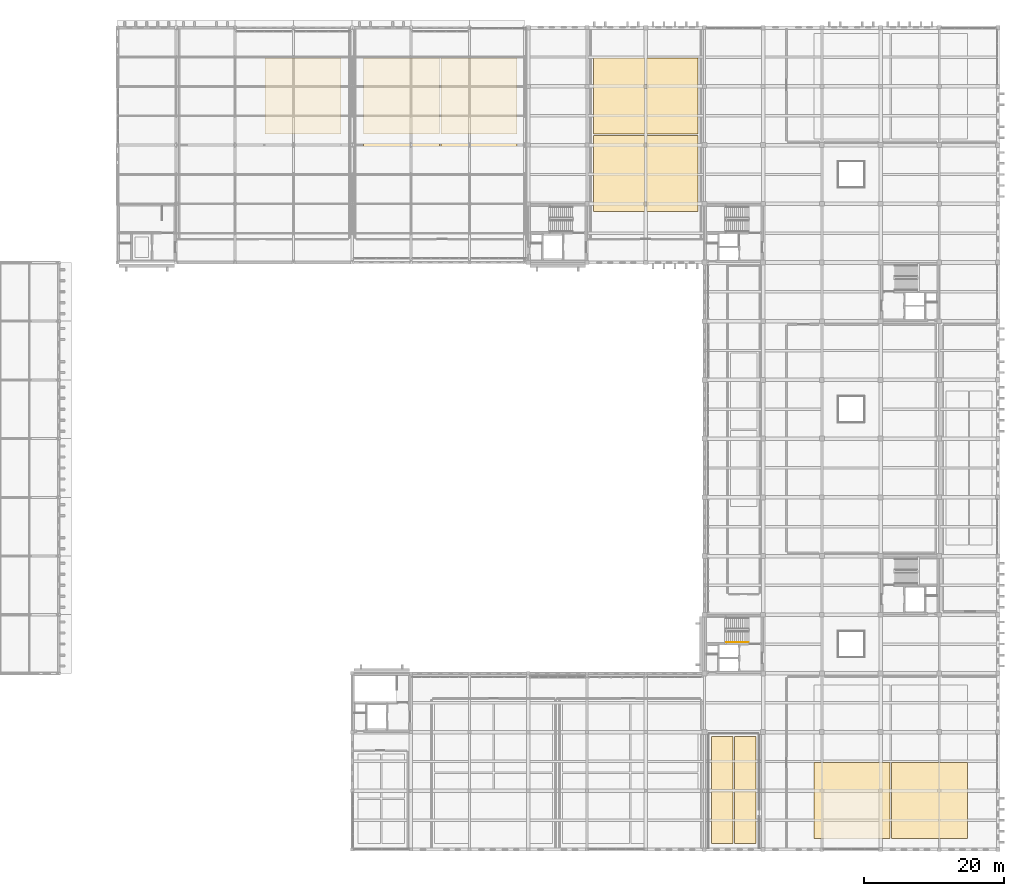
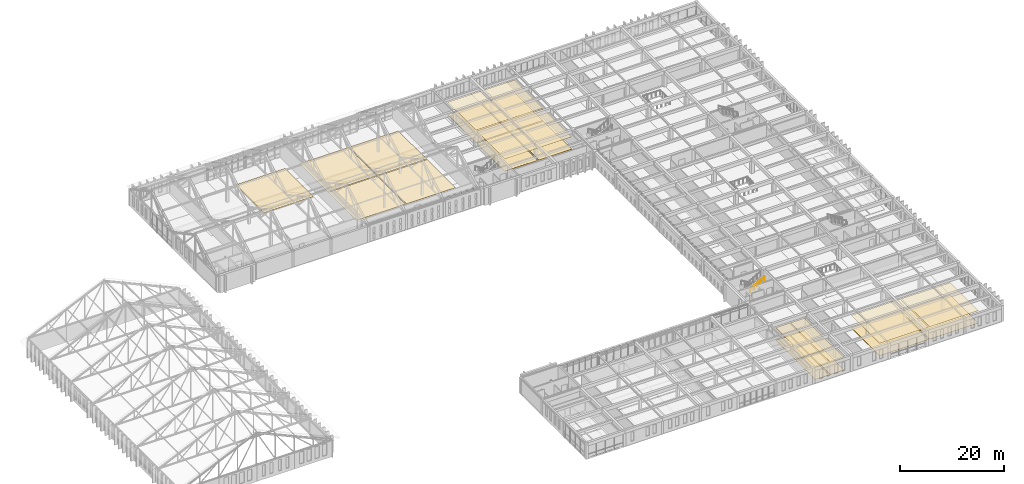
# One storey, part 106 of 110: 25 coverings, 1 railing.
"""IFC4 building model written with IfcOpenShell, lengths in metres."""

from ifc_helpers import new_model, si_unit, direction, frame, origin, origin_2d, place, context, subcontext, project, spatial, rectangle, circle, extrude, material, layer, layer_set, type_object, element, save


model = new_model("IFC4")

# Units and contexts
model_context = context("Model", 3, precision=1e-05, world=origin(), true_north=direction((0.0, 1.0)))
body_context = subcontext(model_context, "Body", "Model", "MODEL_VIEW")
ifc_project = project(units=[si_unit("LENGTHUNIT", "METRE"), si_unit("AREAUNIT", "SQUARE_METRE"), si_unit("VOLUMEUNIT", "CUBIC_METRE"), si_unit("PLANEANGLEUNIT", "RADIAN"), si_unit("MASSUNIT", "GRAM", prefix="KILO")], contexts=[model_context])

# Site, building, storey
site_placement = place(None, origin())
site = spatial("IfcSite", under=ifc_project, at=site_placement, CompositionType="ELEMENT")
building_placement = place(site_placement, origin())
building = spatial("IfcBuilding", under=site, at=building_placement, Name="Kveldsbrygga Polytechnic", CompositionType="ELEMENT")
storey_placement = place(building_placement, frame((0.0, 0.0, 9.860107421875)))
storey = spatial("IfcBuildingStorey", under=building, at=storey_placement, Name="L02", CompositionType="ELEMENT", Elevation=9.860107421875)

# Coverings
ifc_material_1 = material(Name="Acoustic mineral baffle ceiling")
ifc_layer_1 = layer(ifc_material_1, 0.030029296875)
ifc_layer_set_1 = layer_set([ifc_layer_1], Name="Acoustic mineral baffle ceiling")
covering_type_1 = type_object("IfcCoveringType", Name="COV-CEIL-AC30", PredefinedType="CEILING", material=ifc_layer_set_1)
for number, where, z_axis, x_axis, name in (
    (1, (147.125, 7.02490234375, 2.919921875), (0.0, 0.0, 1.0), (1.0, 0.0, 0.0), "Acoustic Ceiling SP-L02-STD22-WS"),
    (2, (158.22509765625, 7.02490234375, 2.919921875), (0.0, 0.0, 1.0), (1.0, 0.0, 0.0), "Acoustic Ceiling SP-L02-STD22-ES"),
):
    element("IfcCovering", number, at=place(storey_placement, frame(where, z_axis=z_axis, x_axis=x_axis)), inside=storey, type_object=covering_type_1, Name=name, PredefinedType="CEILING", context=body_context, shape_type="SweptSolid", body=[
        extrude(rectangle(XDim=10.89990234375, YDim=10.89990234375, at=origin_2d()), origin(), (0.0, 0.0, 1.0), 0.030029296875),
    ])
for number, where, z_axis, x_axis, name in (
    (3, (113.824951171875, 96.72509765625, 2.8798828125), (0.0, 0.0, 1.0), (1.0, 0.0, 0.0), "Acoustic Ceiling SP-L02-STD23-WS"),
    (4, (113.824951171875, 107.824951171875, 2.919921875), (0.0, 0.0, 1.0), (1.0, 0.0, 0.0), "Acoustic Ceiling SP-L02-STD23-WN"),
    (5, (121.375, 96.72509765625, 2.8798828125), (0.0, 0.0, 1.0), (1.0, 0.0, 0.0), "Acoustic Ceiling SP-L02-STD23-ES"),
    (6, (121.375, 107.824951171875, 2.919921875), (0.0, 0.0, 1.0), (1.0, 0.0, 0.0), "Acoustic Ceiling SP-L02-STD23-EN"),
):
    element("IfcCovering", number, at=place(storey_placement, frame(where, z_axis=z_axis, x_axis=x_axis)), inside=storey, type_object=covering_type_1, Name=name, PredefinedType="CEILING", context=body_context, shape_type="SweptSolid", body=[
        extrude(rectangle(XDim=7.35009765625, YDim=10.89990234375, at=origin_2d()), origin(), (0.0, 0.0, 1.0), 0.030029296875),
    ])
ifc_material_2 = material(Name="Gypsum acoustic ceiling")
ifc_layer_2 = layer(ifc_material_2, 0.02001953125)
ifc_layer_set_2 = layer_set([ifc_layer_2], Name="Gypsum acoustic ceiling")
covering_type_2 = type_object("IfcCoveringType", Name="COV-CEIL-GY20", PredefinedType="CEILING", material=ifc_layer_set_2)
for number, where, z_axis, x_axis, name in (
    (7, (128.550048828125, 4.625, 2.929931640625), (0.0, 0.0, 1.0), (1.0, 0.0, 0.0), "Acoustic Ceiling SP-L02-WC1-WS"),
    (8, (128.550048828125, 12.375, 2.929931640625), (0.0, 0.0, 1.0), (1.0, 0.0, 0.0), "Acoustic Ceiling SP-L02-WC1-WN"),
    (9, (131.85009765625, 4.625, 2.929931640625), (0.0, 0.0, 1.0), (1.0, 0.0, 0.0), "Acoustic Ceiling SP-L02-WC1-ES"),
    (10, (131.85009765625, 12.375, 2.929931640625), (0.0, 0.0, 1.0), (1.0, 0.0, 0.0), "Acoustic Ceiling SP-L02-WC1-EN"),
):
    element("IfcCovering", number, at=place(storey_placement, frame(where, z_axis=z_axis, x_axis=x_axis)), inside=storey, type_object=covering_type_2, Name=name, PredefinedType="CEILING", context=body_context, shape_type="SweptSolid", body=[
        extrude(rectangle(XDim=3.10009765625, YDim=7.550048828125, at=origin_2d()), origin(), (0.0, 0.0, 1.0), 0.02001953125),
    ])
ifc_material_3 = material(Name="Iddefjord granite honed paving", Category="masonry")
ifc_layer_3 = layer(ifc_material_3, 0.02490234375)
ifc_layer_set_3 = layer_set([ifc_layer_3], Name="Iddefjord granite honed paving")
covering_type_3 = type_object("IfcCoveringType", Name="COV-FLR-GRN25", PredefinedType="FLOORING", material=ifc_layer_set_3)
for number, where, z_axis, x_axis, name in (
    (11, (128.550048828125, 4.625, 0.0), (0.0, 0.0, 1.0), (1.0, 0.0, 0.0), "Room Flooring SP-L02-WC1-WS"),
    (12, (128.550048828125, 12.375, 0.0), (0.0, 0.0, 1.0), (1.0, 0.0, 0.0), "Room Flooring SP-L02-WC1-WN"),
    (13, (131.85009765625, 4.625, 0.0), (0.0, 0.0, 1.0), (1.0, 0.0, 0.0), "Room Flooring SP-L02-WC1-ES"),
    (14, (131.85009765625, 12.375, 0.0), (0.0, 0.0, 1.0), (1.0, 0.0, 0.0), "Room Flooring SP-L02-WC1-EN"),
):
    element("IfcCovering", number, at=place(storey_placement, frame(where, z_axis=z_axis, x_axis=x_axis)), inside=storey, type_object=covering_type_3, Name=name, PredefinedType="FLOORING", context=body_context, shape_type="SweptSolid", body=[
        extrude(rectangle(XDim=3.10009765625, YDim=7.550048828125, at=origin_2d()), origin(), (0.0, 0.0, 1.0), 0.02490234375),
    ])
ifc_material_4 = material(Name="Acoustic oak timber flooring", Category="wood")
ifc_layer_4 = layer(ifc_material_4, 0.02197265625)
ifc_layer_set_4 = layer_set([ifc_layer_4], Name="Acoustic oak timber flooring")
covering_type_4 = type_object("IfcCoveringType", Name="COV-FLR-OAK22", PredefinedType="FLOORING", material=ifc_layer_set_4)
for number, where, z_axis, x_axis, name in (
    (15, (68.550048828125, 107.824951171875, 0.0), (0.0, 0.0, 1.0), (1.0, 0.0, 0.0), "Room Flooring SP-L02-SEM21-EN"),
    (16, (82.64990234375, 96.72509765625, 0.0), (0.0, 0.0, 1.0), (1.0, 0.0, 0.0), "Room Flooring SP-L02-STD21-WS"),
    (17, (82.64990234375, 107.824951171875, 0.0), (0.0, 0.0, 1.0), (1.0, 0.0, 0.0), "Room Flooring SP-L02-STD21-WN"),
    (18, (93.75, 96.72509765625, 0.0), (0.0, 0.0, 1.0), (1.0, 0.0, 0.0), "Room Flooring SP-L02-STD21-ES"),
    (19, (93.75, 107.824951171875, 0.0), (0.0, 0.0, 1.0), (1.0, 0.0, 0.0), "Room Flooring SP-L02-STD21-EN"),
    (20, (147.125, 7.02490234375, 0.0), (0.0, 0.0, 1.0), (1.0, 0.0, 0.0), "Room Flooring SP-L02-STD22-WS"),
    (21, (158.22509765625, 7.02490234375, 0.0), (0.0, 0.0, 1.0), (1.0, 0.0, 0.0), "Room Flooring SP-L02-STD22-ES"),
):
    element("IfcCovering", number, at=place(storey_placement, frame(where, z_axis=z_axis, x_axis=x_axis)), inside=storey, type_object=covering_type_4, Name=name, PredefinedType="FLOORING", context=body_context, shape_type="SweptSolid", body=[
        extrude(rectangle(XDim=10.89990234375, YDim=10.89990234375, at=origin_2d()), origin(), (0.0, 0.0, 1.0), 0.02197265625),
    ])
for number, where, z_axis, x_axis, name in (
    (22, (113.824951171875, 96.72509765625, 0.0), (0.0, 0.0, 1.0), (1.0, 0.0, 0.0), "Room Flooring SP-L02-STD23-WS"),
    (23, (113.824951171875, 107.824951171875, 0.0), (0.0, 0.0, 1.0), (1.0, 0.0, 0.0), "Room Flooring SP-L02-STD23-WN"),
    (24, (121.375, 96.72509765625, 0.0), (0.0, 0.0, 1.0), (1.0, 0.0, 0.0), "Room Flooring SP-L02-STD23-ES"),
    (25, (121.375, 107.824951171875, 0.0), (0.0, 0.0, 1.0), (1.0, 0.0, 0.0), "Room Flooring SP-L02-STD23-EN"),
):
    element("IfcCovering", number, at=place(storey_placement, frame(where, z_axis=z_axis, x_axis=x_axis)), inside=storey, type_object=covering_type_4, Name=name, PredefinedType="FLOORING", context=body_context, shape_type="SweptSolid", body=[
        extrude(rectangle(XDim=7.35009765625, YDim=10.89990234375, at=origin_2d()), origin(), (0.0, 0.0, 1.0), 0.02197265625),
    ])

# Railing
ifc_material_5 = material(Name="Steel S355", Category="steel")
railing_type = type_object("IfcRailingType", Name="RL-STAIR-HND", PredefinedType="HANDRAIL", material=ifc_material_5)
railing_placement = place(storey_placement, frame((129.159912109375, 29.64990234375, 2.2099609375)))
element("IfcRailing", 26, at=railing_placement, inside=storey, type_object=railing_type, Name="L02 ST-1 stair handrail 2", PredefinedType="HANDRAIL", context=body_context, shape_type="SweptSolid", body=[
    extrude(circle(Radius=0.02392578125, at=origin_2d()), frame((0.0, 0.0, 0.8759765625), z_axis=(0.862725780356, 0.0, 0.505672055693), x_axis=(0.0, 1.0, 0.0)), (0.0, 0.0, 1.0), 3.69775390625),
    extrude(circle(Radius=0.02099609375, at=origin_2d()), origin(), (0.0, 0.0, 1.0), 0.847900390625),
    extrude(circle(Radius=0.02099609375, at=origin_2d()), frame((0.797607421875, 0.0, 0.467529296875)), (0.0, 0.0, 1.0), 0.847900390625),
    extrude(circle(Radius=0.02099609375, at=origin_2d()), frame((1.59521484375, 0.0, 0.93505859375)), (0.0, 0.0, 1.0), 0.847900390625),
    extrude(circle(Radius=0.02099609375, at=origin_2d()), frame((2.392578125, 0.0, 1.40234375)), (0.0, 0.0, 1.0), 0.847900390625),
    extrude(circle(Radius=0.02099609375, at=origin_2d()), frame((3.190185546875, 0.0, 1.869873046875)), (0.0, 0.0, 1.0), 0.847900390625),
])

save(model, "model.ifc")
